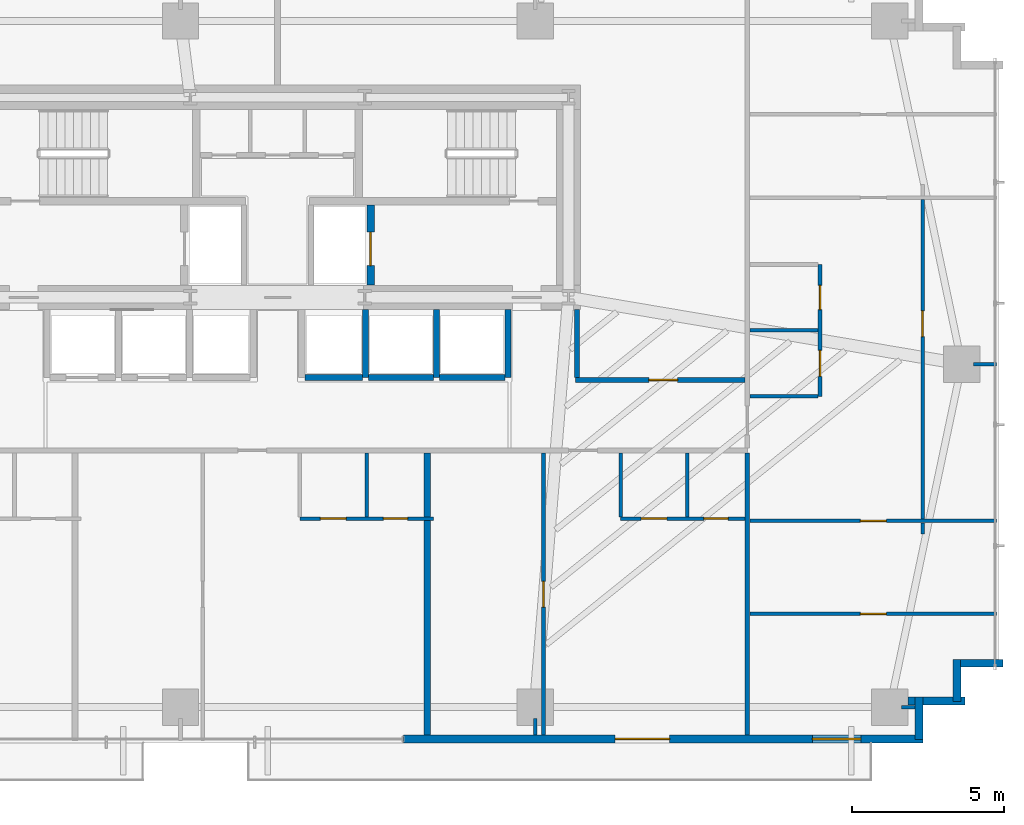
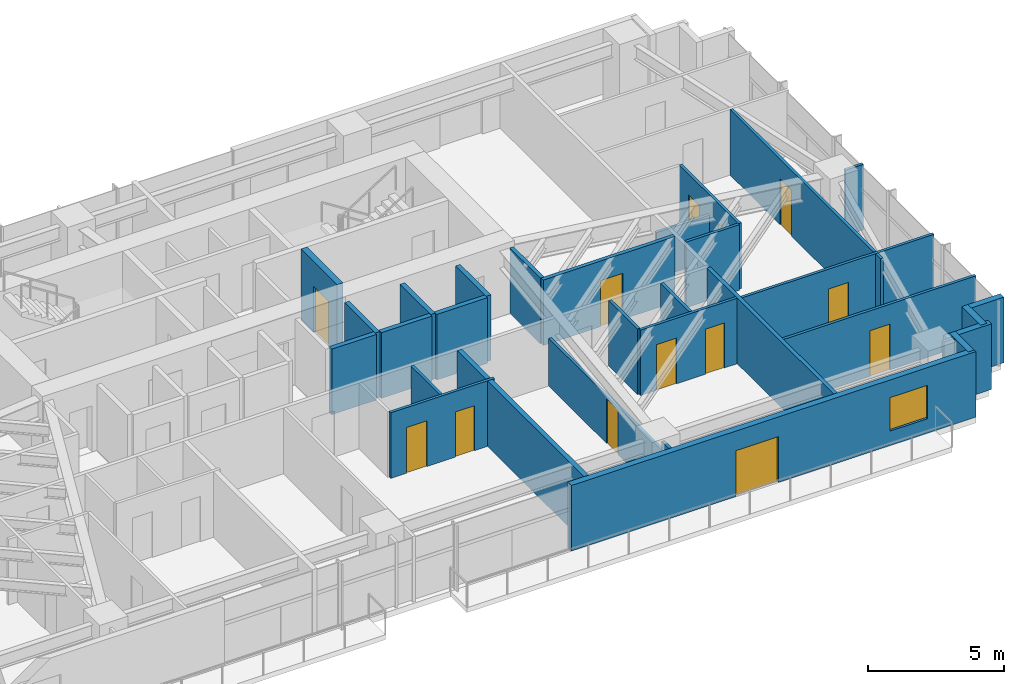
# One storey, part 21 of 25: 33 walls, 13 doors, 1 window, 14 openings.
"""IFC4 building model written with IfcOpenShell, lengths in metres."""

from ifc_helpers import new_model, si_unit, direction, frame, frame_2d, origin, place, context, subcontext, project, spatial, rectangle, extrude, source, transform, mapped, material, layer, layer_set, type_object, type_shapes, element, fill, save


model = new_model("IFC4")

# Units and contexts
model_context = context("Model", 3, precision=1e-05, world=origin(), true_north=direction((0.0, 1.0)))
body_context = subcontext(model_context, "Body", "Model", "MODEL_VIEW")
ifc_project = project(units=[si_unit("LENGTHUNIT", "METRE"), si_unit("AREAUNIT", "SQUARE_METRE"), si_unit("VOLUMEUNIT", "CUBIC_METRE"), si_unit("PLANEANGLEUNIT", "RADIAN"), si_unit("MASSUNIT", "GRAM", prefix="KILO")], contexts=[model_context])

# Site, building, storey
site_placement = place(None, origin())
site = spatial("IfcSite", under=ifc_project, at=site_placement, CompositionType="ELEMENT")
building_placement = place(site_placement, origin())
building = spatial("IfcBuilding", under=site, at=building_placement, Name="Astriad Promenade Condominiums", CompositionType="ELEMENT")
storey_placement = place(building_placement, frame((0.0, 0.0, 55.0)))
storey = spatial("IfcBuildingStorey", under=building, at=storey_placement, Name="L15", CompositionType="ELEMENT", Elevation=55.0)

# Wall, opening, door
ifc_material_1 = material(Name="Concrete C50/60", Category="concrete")
ifc_layer_1 = layer(ifc_material_1, 0.25)
ifc_layer_set_1 = layer_set([ifc_layer_1], Name="Concrete C50/60")
wall_type_1 = type_object("IfcWallType", Name="WALL-CORE-INT-250", PredefinedType="SOLIDWALL", material=ifc_layer_set_1)
wall_1_placement = place(storey_placement, frame((39.074951171875, 17.802001953125, 0.0), z_axis=(0.0, 0.0, 1.0), x_axis=(0.0, 1.0, 0.0)))
wall_1 = element("IfcWall", 1, at=wall_1_placement, inside=storey, type_object=wall_type_1, Name="CW-FFL2-E-L15", PredefinedType="SOLIDWALL", context=body_context, shape_type="SweptSolid", body=[
    extrude(rectangle(XDim=2.64599609375, YDim=0.25, at=frame_2d((1.322998046875, 0.0))), origin(), (0.0, 0.0, 1.0), 3.199951171875),
])
opening_1_placement = place(wall_1_placement, frame((0.64794921875, 0.0, 0.0)))
opening_1 = element("IfcOpeningElement", 2, at=opening_1_placement, cuts=wall_1, Name="Opening LD-FFL-1122", PredefinedType="OPENING", context=body_context, shape_type="SweptSolid", body=[
    extrude(rectangle(XDim=1.10009765625, YDim=2.080078125, at=frame_2d((0.550048828125, 1.0400390625))), frame((0.0, 0.135009765625, 0.0), z_axis=(0.0, -1.0, 0.0), x_axis=(1.0, 0.0, 0.0)), (0.0, 0.0, 1.0), 0.27001953125),
])
ifc_material_2 = material(Name="Brushed Stainless Steel Fire Elevator Landing Door", Category="steel")
door_type_1 = type_object("IfcDoorType", Name="LD-FFL-1122", OperationType="NOTDEFINED", PredefinedType="DOOR", material=ifc_material_2)
shared_shape_1 = source(origin(), body_context, "Body", "SweptSolid", [
    extrude(rectangle(XDim=1.10009765625, YDim=2.080078125, at=frame_2d((0.550048828125, 1.0400390625))), frame((0.0, 0.02490234375, 0.0), z_axis=(0.0, -1.0, 0.0), x_axis=(1.0, 0.0, 0.0)), (0.0, 0.0, 1.0), 0.050048828125),
])
type_shapes(door_type_1, [shared_shape_1])
door_1_placement = place(opening_1_placement, origin())
door_1 = element("IfcDoor", 3, at=door_1_placement, inside=storey, type_object=door_type_1, Name="Elevator Landing Door FFL-2 (L15)", OperationType="SLIDING_TO_RIGHT", OverallHeight=2.080078125, OverallWidth=1.10009765625, PredefinedType="DOOR", context=body_context, shape_type="MappedRepresentation", body=[
    mapped(shared_shape_1, transform((0.0, 0.0, 0.0), scale=1.0)),
])
fill(opening_1, door_1)

# Wall
ifc_material_3 = material(Name="Fire-Rated Gypsum Partition")
ifc_layer_2 = layer(ifc_material_3, 0.159912109375)
ifc_layer_set_2 = layer_set([ifc_layer_2], Name="Fire-Rated Gypsum Partition")
wall_type_2 = type_object("IfcWallType", Name="WALL-CORR-160", PredefinedType="PARTITIONING", material=ifc_layer_set_2)
wall_2_placement = place(storey_placement, frame((51.5, 2.9619140625, 0.0), z_axis=(0.0, 0.0, 1.0), x_axis=(0.0, 1.0, 0.0)))
element("IfcWall", 4, at=wall_2_placement, inside=storey, type_object=wall_type_2, Name="PT-COR-E-L15", PredefinedType="PARTITIONING", context=body_context, shape_type="SweptSolid", body=[
    extrude(rectangle(XDim=9.30615234375, YDim=0.159912109375, at=frame_2d((4.653076171875, 0.0))), origin(), (0.0, 0.0, 1.0), 2.93994140625),
])

# Wall, opening, door
wall_3_placement = place(storey_placement, frame((45.840087890625, 14.679931640625, 0.0), z_axis=(0.0, 0.0, 1.0), x_axis=(1.0, 0.0, 0.0)))
wall_3 = element("IfcWall", 5, at=wall_3_placement, inside=storey, type_object=wall_type_2, Name="PT-FLK-NE-L15", PredefinedType="PARTITIONING", context=body_context, shape_type="SweptSolid", body=[
    extrude(rectangle(XDim=5.577880859375, YDim=0.159912109375, at=frame_2d((2.7890625, 0.0))), origin(), (0.0, 0.0, 1.0), 2.93994140625),
])
opening_2_placement = place(wall_3_placement, frame((2.4150390625, 0.0, 0.0)))
opening_2 = element("IfcOpeningElement", 6, at=opening_2_placement, cuts=wall_3, Name="Opening FD60-APT-095", PredefinedType="OPENING", context=body_context, shape_type="SweptSolid", body=[
    extrude(rectangle(XDim=0.949951171875, YDim=2.06005859375, at=frame_2d((0.47509765625, 1.030029296875))), frame((0.0, 0.08984375, 0.0), z_axis=(0.0, -1.0, 0.0), x_axis=(1.0, 0.0, 0.0)), (0.0, 0.0, 1.0), 0.179931640625),
])
ifc_material_4 = material(Name="Solid-Core Acoustic Timber Residence Entry Door", Category="wood")
door_type_2 = type_object("IfcDoorType", Name="FD60-APT-095", OperationType="NOTDEFINED", PredefinedType="DOOR", material=ifc_material_4)
shared_shape_2 = source(origin(), body_context, "Body", "SweptSolid", [
    extrude(rectangle(XDim=0.949951171875, YDim=2.06005859375, at=frame_2d((0.47509765625, 1.030029296875))), frame((0.0, 0.02490234375, 0.0), z_axis=(0.0, -1.0, 0.0), x_axis=(1.0, 0.0, 0.0)), (0.0, 0.0, 1.0), 0.050048828125),
])
type_shapes(door_type_2, [shared_shape_2])
door_2_placement = place(opening_2_placement, origin())
door_2 = element("IfcDoor", 7, at=door_2_placement, inside=storey, type_object=door_type_2, Name="D-NEA-L15", OperationType="SINGLE_SWING_RIGHT", OverallHeight=2.06005859375, OverallWidth=0.949951171875, PredefinedType="DOOR", context=body_context, shape_type="MappedRepresentation", body=[
    mapped(shared_shape_2, transform((0.0, 0.0, 0.0), scale=1.0)),
])
fill(opening_2, door_2)

# Walls
wall_4_placement = place(storey_placement, frame((45.8798828125, 14.761962890625, 0.0), z_axis=(0.0, 0.0, 1.0), x_axis=(0.0, 1.0, 0.0)))
element("IfcWall", 8, at=wall_4_placement, inside=storey, type_object=wall_type_2, Name="PT-ESPUR-E-L15", PredefinedType="PARTITIONING", context=body_context, shape_type="SweptSolid", body=[
    extrude(rectangle(XDim=2.236083984375, YDim=0.159912109375, at=frame_2d((1.1181640625, 0.0))), origin(), (0.0, 0.0, 1.0), 2.93994140625),
])
ifc_material_5 = material(Name="Acoustic Double-Stud Gypsum Partition")
ifc_layer_3 = layer(ifc_material_5, 0.199951171875)
ifc_layer_set_3 = layer_set([ifc_layer_3], Name="Acoustic Double-Stud Gypsum Partition")
wall_type_3 = type_object("IfcWallType", Name="WALL-DEMISING-200", PredefinedType="PARTITIONING", material=ifc_layer_set_3)
wall_5_placement = place(storey_placement, frame((40.93994140625, 2.9619140625, 0.0), z_axis=(0.0, 0.0, 1.0), x_axis=(0.0, 1.0, 0.0)))
element("IfcWall", 9, at=wall_5_placement, inside=storey, type_object=wall_type_3, Name="PT-DEM-S2-L15", PredefinedType="PARTITIONING", context=body_context, shape_type="SweptSolid", body=[
    extrude(rectangle(XDim=7.076171875, YDim=0.199951171875, at=frame_2d((3.5380859375, 0.0))), origin(), (0.0, 0.0, 1.0), 2.93994140625),
])
wall_6_placement = place(storey_placement, frame((40.93994140625, 10.162109375, 0.0), z_axis=(0.0, 0.0, 1.0), x_axis=(0.0, 1.0, 0.0)))
element("IfcWall", 10, at=wall_6_placement, inside=storey, type_object=wall_type_3, Name="PT-DEM-S2-L15-S2", PredefinedType="PARTITIONING", context=body_context, shape_type="SweptSolid", body=[
    extrude(rectangle(XDim=2.10595703125, YDim=0.199951171875, at=frame_2d((1.052978515625, 0.0))), origin(), (0.0, 0.0, 1.0), 2.93994140625),
])
ifc_material_6 = material(Name="Precast concrete C50/60", Category="concrete")
ifc_layer_4 = layer(ifc_material_6, 0.260009765625)
ifc_layer_set_4 = layer_set([ifc_layer_4], Name="Precast concrete C50/60")
wall_type_4 = type_object("IfcWallType", Name="WALL-EXT-TWR-260", PredefinedType="STANDARD", material=ifc_layer_set_4)
for number, where, z_axis, x_axis, name in (
    (11, (59.929931640625, 5.330078125, 0.0), (0.0, 0.0, 1.0), (-1.0, 0.0, 0.0), "W-SER-L15-14"),
    (12, (58.419921875, 5.4599609375, 0.0), (0.0, 0.0, 1.0), (0.0, -1.0, 0.0), "W-SER-L15-15"),
):
    element("IfcWall", number, at=place(storey_placement, frame(where, z_axis=z_axis, x_axis=x_axis)), inside=storey, type_object=wall_type_4, Name=name, PredefinedType="STANDARD", context=body_context, shape_type="SweptSolid", body=[
        extrude(rectangle(XDim=1.39501953125, YDim=0.260009765625, at=frame_2d((0.697509765625, 0.0))), origin(), (0.0, 0.0, 1.0), 2.93994140625),
    ])
wall_7_placement = place(storey_placement, frame((58.679931640625, 4.080078125, 0.0), z_axis=(0.0, 0.0, 1.0), x_axis=(-1.0, 0.0, 0.0)))
element("IfcWall", 13, at=wall_7_placement, inside=storey, type_object=wall_type_4, Name="W-SER-L15-16", PredefinedType="STANDARD", context=body_context, shape_type="SweptSolid", body=[
    extrude(rectangle(XDim=1.8779296875, YDim=0.260009765625, at=frame_2d((0.93896484375, 0.0))), origin(), (0.0, 0.0, 1.0), 2.93994140625),
])
wall_8_placement = place(storey_placement, frame((57.169921875, 4.2099609375, 0.0), z_axis=(0.0, 0.0, 1.0), x_axis=(0.0, -1.0, 0.0)))
element("IfcWall", 14, at=wall_8_placement, inside=storey, type_object=wall_type_4, Name="W-SER-L15-17", PredefinedType="STANDARD", context=body_context, shape_type="SweptSolid", body=[
    extrude(rectangle(XDim=1.39501953125, YDim=0.260009765625, at=frame_2d((0.697509765625, 0.0))), origin(), (0.0, 0.0, 1.0), 2.93994140625),
])

# Wall, openings, door, window
wall_9_placement = place(storey_placement, frame((57.300048828125, 2.830078125, 0.0), z_axis=(0.0, 0.0, 1.0), x_axis=(-1.0, 0.0, 0.0)))
wall_9 = element("IfcWall", 15, at=wall_9_placement, inside=storey, type_object=wall_type_4, Name="W-EXT-L15-S1", PredefinedType="STANDARD", context=body_context, shape_type="SweptSolid", body=[
    extrude(rectangle(XDim=17.150146484375, YDim=0.260009765625, at=frame_2d((8.5751953125, 0.0))), origin(), (0.0, 0.0, 1.0), 2.93994140625),
])
opening_3_placement = place(wall_9_placement, frame((8.362060546875, 0.0, 0.0)))
opening_3 = element("IfcOpeningElement", 16, at=opening_3_placement, cuts=wall_9, Name="Opening BD-1822-SLD", PredefinedType="OPENING", context=body_context, shape_type="SweptSolid", body=[
    extrude(rectangle(XDim=1.800048828125, YDim=2.06005859375, at=frame_2d((0.89990234375, 1.030029296875))), frame((0.0, 0.139892578125, 0.0), z_axis=(0.0, -1.0, 0.0), x_axis=(1.0, 0.0, 0.0)), (0.0, 0.0, 1.0), 0.280029296875),
])
opening_4_placement = place(wall_9_placement, frame((2.050048828125, 0.0, 0.64990234375)))
opening_4 = element("IfcOpeningElement", 17, at=opening_4_placement, cuts=wall_9, Name="Opening WIN-TWR-1620", PredefinedType="OPENING", context=body_context, shape_type="SweptSolid", body=[
    extrude(rectangle(XDim=1.60009765625, YDim=1.5, at=frame_2d((0.800048828125, 0.75))), frame((0.0, 0.139892578125, 0.0), z_axis=(0.0, -1.0, 0.0), x_axis=(1.0, 0.0, 0.0)), (0.0, 0.0, 1.0), 0.280029296875),
])
ifc_material_7 = material(Name="Thermally Broken Aluminium Sliding Balcony Door", Category="aluminium")
door_type_3 = type_object("IfcDoorType", Name="BD-1822-SLD", OperationType="NOTDEFINED", PredefinedType="DOOR", material=ifc_material_7)
shared_shape_3 = source(origin(), body_context, "Body", "SweptSolid", [
    extrude(rectangle(XDim=1.800048828125, YDim=2.06005859375, at=frame_2d((0.89990234375, 1.030029296875))), frame((0.0, 0.02490234375, 0.0), z_axis=(0.0, -1.0, 0.0), x_axis=(1.0, 0.0, 0.0)), (0.0, 0.0, 1.0), 0.050048828125),
])
type_shapes(door_type_3, [shared_shape_3])
door_3_placement = place(opening_3_placement, origin())
door_3 = element("IfcDoor", 18, at=door_3_placement, inside=storey, type_object=door_type_3, Name="BD-L15-SE", OperationType="SLIDING_TO_RIGHT", OverallHeight=2.06005859375, OverallWidth=1.800048828125, PredefinedType="DOOR", context=body_context, shape_type="MappedRepresentation", body=[
    mapped(shared_shape_3, transform((0.0, 0.0, 0.0), scale=1.0)),
])
fill(opening_3, door_3)
ifc_material_8 = material(Name="Dark Tinted Triple-Glazed Aluminium Window", Category="aluminium")
window_type = type_object("IfcWindowType", Name="WIN-TWR-1620", PartitioningType="SINGLE_PANEL", PredefinedType="WINDOW", material=ifc_material_8)
shared_shape_4 = source(origin(), body_context, "Body", "SweptSolid", [
    extrude(rectangle(XDim=1.60009765625, YDim=1.5, at=frame_2d((0.800048828125, 0.75))), frame((0.0, 0.030029296875, 0.0), z_axis=(0.0, -1.0, 0.0), x_axis=(1.0, 0.0, 0.0)), (0.0, 0.0, 1.0), 0.06005859375),
])
type_shapes(window_type, [shared_shape_4])
window_placement = place(opening_4_placement, origin())
window = element("IfcWindow", 19, at=window_placement, inside=storey, type_object=window_type, Name="WIN-L15-SE", OverallHeight=1.5, OverallWidth=1.60009765625, PartitioningType="SINGLE_PANEL", PredefinedType="WINDOW", context=body_context, shape_type="MappedRepresentation", body=[
    mapped(shared_shape_4, transform((0.0, 0.0, 0.0), scale=1.0)),
])
fill(opening_4, window)

# Wall, openings, doors
ifc_material_9 = material(Name="Acoustic Metal-Stud Gypsum Partition")
ifc_layer_5 = layer(ifc_material_9, 0.1201171875)
ifc_layer_set_5 = layer_set([ifc_layer_5], Name="Acoustic Metal-Stud Gypsum Partition")
wall_type_5 = type_object("IfcWallType", Name="WALL-PART-120", PredefinedType="PARTITIONING", material=ifc_layer_set_5)
wall_10_placement = place(storey_placement, frame((36.739990234375, 10.10009765625, 0.0), z_axis=(0.0, 0.0, 1.0), x_axis=(1.0, 0.0, 0.0)))
wall_10 = element("IfcWall", 20, at=wall_10_placement, inside=storey, type_object=wall_type_5, Name="PT-L15-S2-PS", PredefinedType="PARTITIONING", context=body_context, shape_type="SweptSolid", body=[
    extrude(rectangle(XDim=4.39990234375, YDim=0.1201171875, at=frame_2d((2.199951171875, 0.0))), origin(), (0.0, 0.0, 1.0), 2.93994140625),
])
opening_5_placement = place(wall_10_placement, frame((0.675048828125, 0.0, 0.0)))
opening_5 = element("IfcOpeningElement", 21, at=opening_5_placement, cuts=wall_10, Name="Opening D-INT-085", PredefinedType="OPENING", context=body_context, shape_type="SweptSolid", body=[
    extrude(rectangle(XDim=0.85009765625, YDim=2.050048828125, at=frame_2d((0.425048828125, 1.02490234375))), frame((0.0, 0.070068359375, 0.0), z_axis=(0.0, -1.0, 0.0), x_axis=(1.0, 0.0, 0.0)), (0.0, 0.0, 1.0), 0.14013671875),
])
opening_6_placement = place(wall_10_placement, frame((2.75, 0.0, 0.0)))
opening_6 = element("IfcOpeningElement", 22, at=opening_6_placement, cuts=wall_10, Name="Opening D-WET-080", PredefinedType="OPENING", context=body_context, shape_type="SweptSolid", body=[
    extrude(rectangle(XDim=0.800048828125, YDim=2.02001953125, at=frame_2d((0.39990234375, 1.010009765625))), frame((0.0, 0.070068359375, 0.0), z_axis=(0.0, -1.0, 0.0), x_axis=(1.0, 0.0, 0.0)), (0.0, 0.0, 1.0), 0.14013671875),
])
ifc_material_10 = material(Name="Moisture-Resistant Timber Bathroom Door", Category="wood")
door_type_4 = type_object("IfcDoorType", Name="D-WET-080", OperationType="NOTDEFINED", PredefinedType="DOOR", material=ifc_material_10)
shared_shape_5 = source(origin(), body_context, "Body", "SweptSolid", [
    extrude(rectangle(XDim=0.800048828125, YDim=2.02001953125, at=frame_2d((0.39990234375, 1.010009765625))), frame((0.0, 0.02490234375, 0.0), z_axis=(0.0, -1.0, 0.0), x_axis=(1.0, 0.0, 0.0)), (0.0, 0.0, 1.0), 0.050048828125),
])
type_shapes(door_type_4, [shared_shape_5])
door_4_placement = place(opening_6_placement, origin())
door_4 = element("IfcDoor", 23, at=door_4_placement, inside=storey, type_object=door_type_4, Name="D-BTH-L15-S2", OperationType="SINGLE_SWING_RIGHT", OverallHeight=2.02001953125, OverallWidth=0.800048828125, PredefinedType="DOOR", context=body_context, shape_type="MappedRepresentation", body=[
    mapped(shared_shape_5, transform((0.0, 0.0, 0.0), scale=1.0)),
])
fill(opening_6, door_4)
ifc_material_11 = material(Name="Painted Solid-Core Timber Room Door", Category="wood")
door_type_5 = type_object("IfcDoorType", Name="D-INT-085", OperationType="NOTDEFINED", PredefinedType="DOOR", material=ifc_material_11)
shared_shape_6 = source(origin(), body_context, "Body", "SweptSolid", [
    extrude(rectangle(XDim=0.85009765625, YDim=2.050048828125, at=frame_2d((0.425048828125, 1.02490234375))), frame((0.0, 0.02490234375, 0.0), z_axis=(0.0, -1.0, 0.0), x_axis=(1.0, 0.0, 0.0)), (0.0, 0.0, 1.0), 0.050048828125),
])
type_shapes(door_type_5, [shared_shape_6])
door_5_placement = place(opening_5_placement, origin())
door_5 = element("IfcDoor", 24, at=door_5_placement, inside=storey, type_object=door_type_5, Name="D-KIT-L15-S2", OperationType="SINGLE_SWING_LEFT", OverallHeight=2.050048828125, OverallWidth=0.85009765625, PredefinedType="DOOR", context=body_context, shape_type="MappedRepresentation", body=[
    mapped(shared_shape_6, transform((0.0, 0.0, 0.0), scale=1.0)),
])
fill(opening_5, door_5)

# Wall
wall_11_placement = place(storey_placement, frame((38.93994140625, 10.162109375, 0.0), z_axis=(0.0, 0.0, 1.0), x_axis=(0.0, 1.0, 0.0)))
element("IfcWall", 25, at=wall_11_placement, inside=storey, type_object=wall_type_5, Name="PT-L15-S2-PB", PredefinedType="PARTITIONING", context=body_context, shape_type="SweptSolid", body=[
    extrude(rectangle(XDim=2.10595703125, YDim=0.1201171875, at=frame_2d((1.052978515625, 0.0))), origin(), (0.0, 0.0, 1.0), 2.93994140625),
])

# Wall, openings, doors
wall_12_placement = place(storey_placement, frame((47.320068359375, 10.10009765625, 0.0), z_axis=(0.0, 0.0, 1.0), x_axis=(1.0, 0.0, 0.0)))
wall_12 = element("IfcWall", 26, at=wall_12_placement, inside=storey, type_object=wall_type_5, Name="PT-L15-S3-PS", PredefinedType="PARTITIONING", context=body_context, shape_type="SweptSolid", body=[
    extrude(rectangle(XDim=4.097900390625, YDim=0.1201171875, at=frame_2d((2.048828125, 0.0))), origin(), (0.0, 0.0, 1.0), 2.93994140625),
])
opening_7_placement = place(wall_12_placement, frame((0.675048828125, 0.0, 0.0)))
opening_7 = element("IfcOpeningElement", 27, at=opening_7_placement, cuts=wall_12, Name="Opening D-INT-085", PredefinedType="OPENING", context=body_context, shape_type="SweptSolid", body=[
    extrude(rectangle(XDim=0.85009765625, YDim=2.050048828125, at=frame_2d((0.425048828125, 1.02490234375))), frame((0.0, 0.070068359375, 0.0), z_axis=(0.0, -1.0, 0.0), x_axis=(1.0, 0.0, 0.0)), (0.0, 0.0, 1.0), 0.14013671875),
])
opening_8_placement = place(wall_12_placement, frame((2.75, 0.0, 0.0)))
opening_8 = element("IfcOpeningElement", 28, at=opening_8_placement, cuts=wall_12, Name="Opening D-WET-080", PredefinedType="OPENING", context=body_context, shape_type="SweptSolid", body=[
    extrude(rectangle(XDim=0.800048828125, YDim=2.02001953125, at=frame_2d((0.39990234375, 1.010009765625))), frame((0.0, 0.070068359375, 0.0), z_axis=(0.0, -1.0, 0.0), x_axis=(1.0, 0.0, 0.0)), (0.0, 0.0, 1.0), 0.14013671875),
])
door_6_placement = place(opening_8_placement, origin())
door_6 = element("IfcDoor", 29, at=door_6_placement, inside=storey, type_object=door_type_4, Name="D-BTH-L15-S3", OperationType="SINGLE_SWING_RIGHT", OverallHeight=2.02001953125, OverallWidth=0.800048828125, PredefinedType="DOOR", context=body_context, shape_type="MappedRepresentation", body=[
    mapped(shared_shape_5, transform((0.0, 0.0, 0.0), scale=1.0)),
])
fill(opening_8, door_6)
door_7_placement = place(opening_7_placement, origin())
door_7 = element("IfcDoor", 30, at=door_7_placement, inside=storey, type_object=door_type_5, Name="D-KIT-L15-S3", OperationType="SINGLE_SWING_LEFT", OverallHeight=2.050048828125, OverallWidth=0.85009765625, PredefinedType="DOOR", context=body_context, shape_type="MappedRepresentation", body=[
    mapped(shared_shape_6, transform((0.0, 0.0, 0.0), scale=1.0)),
])
fill(opening_7, door_7)

# Walls
for number, where, z_axis, x_axis, name in (
    (31, (47.320068359375, 10.162109375, 0.0), (0.0, 0.0, 1.0), (0.0, 1.0, 0.0), "PT-L15-S3-PK"),
    (32, (49.52001953125, 10.162109375, 0.0), (0.0, 0.0, 1.0), (0.0, 1.0, 0.0), "PT-L15-S3-PB"),
):
    element("IfcWall", number, at=place(storey_placement, frame(where, z_axis=z_axis, x_axis=x_axis)), inside=storey, type_object=wall_type_5, Name=name, PredefinedType="PARTITIONING", context=body_context, shape_type="SweptSolid", body=[
        extrude(rectangle(XDim=2.10595703125, YDim=0.1201171875, at=frame_2d((1.052978515625, 0.0))), origin(), (0.0, 0.0, 1.0), 2.93994140625),
    ])

# Wall, opening, door
wall_13_placement = place(storey_placement, frame((44.777099609375, 2.9619140625, 0.0), z_axis=(0.0, 0.0, 1.0), x_axis=(0.0, 1.0, 0.0)))
wall_13 = element("IfcWall", 33, at=wall_13_placement, inside=storey, type_object=wall_type_5, Name="PT-L15-S3-CAP1", PredefinedType="PARTITIONING", context=body_context, shape_type="SweptSolid", body=[
    extrude(rectangle(XDim=9.30615234375, YDim=0.1201171875, at=frame_2d((4.653076171875, 0.0))), origin(), (0.0, 0.0, 1.0), 2.135986328125),
])
opening_9_placement = place(wall_13_placement, frame((4.218017578125, 0.0, 0.0)))
opening_9 = element("IfcOpeningElement", 34, at=opening_9_placement, cuts=wall_13, Name="Opening D-LOW-085", PredefinedType="OPENING", context=body_context, shape_type="SweptSolid", body=[
    extrude(rectangle(XDim=0.85009765625, YDim=2.010009765625, at=frame_2d((0.425048828125, 1.0048828125))), frame((0.0, 0.070068359375, 0.0), z_axis=(0.0, -1.0, 0.0), x_axis=(1.0, 0.0, 0.0)), (0.0, 0.0, 1.0), 0.14013671875),
])
ifc_material_12 = material(Name="Painted Timber Under-Girder Room Door", Category="wood")
door_type_6 = type_object("IfcDoorType", Name="D-LOW-085", OperationType="NOTDEFINED", PredefinedType="DOOR", material=ifc_material_12)
shared_shape_7 = source(origin(), body_context, "Body", "SweptSolid", [
    extrude(rectangle(XDim=0.85009765625, YDim=2.010009765625, at=frame_2d((0.425048828125, 1.0048828125))), frame((0.0, 0.02490234375, 0.0), z_axis=(0.0, -1.0, 0.0), x_axis=(1.0, 0.0, 0.0)), (0.0, 0.0, 1.0), 0.050048828125),
])
type_shapes(door_type_6, [shared_shape_7])
door_8_placement = place(opening_9_placement, origin())
door_8 = element("IfcDoor", 35, at=door_8_placement, inside=storey, type_object=door_type_6, Name="D-CAP1-L15-S3", OperationType="SINGLE_SWING_LEFT", OverallHeight=2.010009765625, OverallWidth=0.85009765625, PredefinedType="DOOR", context=body_context, shape_type="MappedRepresentation", body=[
    mapped(shared_shape_7, transform((0.0, 0.0, 0.0), scale=1.0)),
])
fill(opening_9, door_8)

# Wall, openings, doors
wall_14_placement = place(storey_placement, frame((53.89990234375, 14.135986328125, 0.0), z_axis=(0.0, 0.0, 1.0), x_axis=(0.0, 1.0, 0.0)))
wall_14 = element("IfcWall", 36, at=wall_14_placement, inside=storey, type_object=wall_type_5, Name="PT-L15-E1-PV", PredefinedType="PARTITIONING", context=body_context, shape_type="SweptSolid", body=[
    extrude(rectangle(XDim=4.35009765625, YDim=0.1201171875, at=frame_2d((2.175048828125, 0.0))), origin(), (0.0, 0.0, 1.0), 2.93994140625),
])
opening_10_placement = place(wall_14_placement, frame((0.662109375, 0.0, 0.0)))
opening_10 = element("IfcOpeningElement", 37, at=opening_10_placement, cuts=wall_14, Name="Opening D-INT-085", PredefinedType="OPENING", context=body_context, shape_type="SweptSolid", body=[
    extrude(rectangle(XDim=0.85009765625, YDim=2.050048828125, at=frame_2d((0.425048828125, 1.02490234375))), frame((0.0, 0.070068359375, 0.0), z_axis=(0.0, -1.0, 0.0), x_axis=(1.0, 0.0, 0.0)), (0.0, 0.0, 1.0), 0.14013671875),
])
opening_11_placement = place(wall_14_placement, frame((2.862060546875, 0.0, 0.0)))
opening_11 = element("IfcOpeningElement", 38, at=opening_11_placement, cuts=wall_14, Name="Opening D-WET-080", PredefinedType="OPENING", context=body_context, shape_type="SweptSolid", body=[
    extrude(rectangle(XDim=0.800048828125, YDim=2.02001953125, at=frame_2d((0.39990234375, 1.010009765625))), frame((0.0, 0.070068359375, 0.0), z_axis=(0.0, -1.0, 0.0), x_axis=(1.0, 0.0, 0.0)), (0.0, 0.0, 1.0), 0.14013671875),
])
door_9_placement = place(opening_11_placement, origin())
door_9 = element("IfcDoor", 39, at=door_9_placement, inside=storey, type_object=door_type_4, Name="D-BTH-L15-E1", OperationType="SINGLE_SWING_LEFT", OverallHeight=2.02001953125, OverallWidth=0.800048828125, PredefinedType="DOOR", context=body_context, shape_type="MappedRepresentation", body=[
    mapped(shared_shape_5, transform((0.0, 0.0, 0.0), scale=1.0)),
])
fill(opening_11, door_9)
door_10_placement = place(opening_10_placement, origin())
door_10 = element("IfcDoor", 40, at=door_10_placement, inside=storey, type_object=door_type_5, Name="D-KIT-L15-E1", OperationType="SINGLE_SWING_RIGHT", OverallHeight=2.050048828125, OverallWidth=0.85009765625, PredefinedType="DOOR", context=body_context, shape_type="MappedRepresentation", body=[
    mapped(shared_shape_6, transform((0.0, 0.0, 0.0), scale=1.0)),
])
fill(opening_10, door_10)

# Walls
wall_15_placement = place(storey_placement, frame((51.58203125, 16.31103515625, 0.0), z_axis=(0.0, 0.0, 1.0), x_axis=(1.0, 0.0, 0.0)))
element("IfcWall", 41, at=wall_15_placement, inside=storey, type_object=wall_type_5, Name="PT-L15-E1-PM", PredefinedType="PARTITIONING", context=body_context, shape_type="SweptSolid", body=[
    extrude(rectangle(XDim=2.255859375, YDim=0.1201171875, at=frame_2d((1.1279296875, 0.0))), origin(), (0.0, 0.0, 1.0), 2.044921875),
])
wall_16_placement = place(storey_placement, frame((51.58203125, 14.135986328125, 0.0), z_axis=(0.0, 0.0, 1.0), x_axis=(1.0, 0.0, 0.0)))
element("IfcWall", 42, at=wall_16_placement, inside=storey, type_object=wall_type_5, Name="PT-L15-E1-PS", PredefinedType="PARTITIONING", context=body_context, shape_type="SweptSolid", body=[
    extrude(rectangle(XDim=2.255859375, YDim=0.1201171875, at=frame_2d((1.1279296875, 0.0))), origin(), (0.0, 0.0, 1.0), 2.93994140625),
])

# Wall, opening, door
wall_17_placement = place(storey_placement, frame((51.58203125, 6.9599609375, 0.0), z_axis=(0.0, 0.0, 1.0), x_axis=(1.0, 0.0, 0.0)))
wall_17 = element("IfcWall", 43, at=wall_17_placement, inside=storey, type_object=wall_type_5, Name="PT-L15-E1-WDS1", PredefinedType="PARTITIONING", context=body_context, shape_type="SweptSolid", body=[
    extrude(rectangle(XDim=8.137939453125, YDim=0.1201171875, at=frame_2d((4.06884765625, 0.0))), origin(), (0.0, 0.0, 1.0), 2.93994140625),
])
opening_12_placement = place(wall_17_placement, frame((3.653076171875, 0.0, 0.0)))
opening_12 = element("IfcOpeningElement", 44, at=opening_12_placement, cuts=wall_17, Name="Opening D-INT-085", PredefinedType="OPENING", context=body_context, shape_type="SweptSolid", body=[
    extrude(rectangle(XDim=0.85009765625, YDim=2.050048828125, at=frame_2d((0.425048828125, 1.02490234375))), frame((0.0, 0.070068359375, 0.0), z_axis=(0.0, -1.0, 0.0), x_axis=(1.0, 0.0, 0.0)), (0.0, 0.0, 1.0), 0.14013671875),
])
door_11_placement = place(opening_12_placement, origin())
door_11 = element("IfcDoor", 45, at=door_11_placement, inside=storey, type_object=door_type_5, Name="D-WDS1-L15-E1", OperationType="SINGLE_SWING_RIGHT", OverallHeight=2.050048828125, OverallWidth=0.85009765625, PredefinedType="DOOR", context=body_context, shape_type="MappedRepresentation", body=[
    mapped(shared_shape_6, transform((0.0, 0.0, 0.0), scale=1.0)),
])
fill(opening_12, door_11)

wall_18_placement = place(storey_placement, frame((51.58203125, 10.02587890625, 0.0), z_axis=(0.0, 0.0, 1.0), x_axis=(1.0, 0.0, 0.0)))
wall_18 = element("IfcWall", 46, at=wall_18_placement, inside=storey, type_object=wall_type_5, Name="PT-L15-E1-WDS3", PredefinedType="PARTITIONING", context=body_context, shape_type="SweptSolid", body=[
    extrude(rectangle(XDim=8.137939453125, YDim=0.1201171875, at=frame_2d((4.06884765625, 0.0))), origin(), (0.0, 0.0, 1.0), 2.93994140625),
])
opening_13_placement = place(wall_18_placement, frame((3.653076171875, 0.0, 0.0)))
opening_13 = element("IfcOpeningElement", 47, at=opening_13_placement, cuts=wall_18, Name="Opening D-INT-085", PredefinedType="OPENING", context=body_context, shape_type="SweptSolid", body=[
    extrude(rectangle(XDim=0.85009765625, YDim=2.050048828125, at=frame_2d((0.425048828125, 1.02490234375))), frame((0.0, 0.070068359375, 0.0), z_axis=(0.0, -1.0, 0.0), x_axis=(1.0, 0.0, 0.0)), (0.0, 0.0, 1.0), 0.14013671875),
])
door_12_placement = place(opening_13_placement, origin())
door_12 = element("IfcDoor", 48, at=door_12_placement, inside=storey, type_object=door_type_5, Name="D-WDS3-L15-E1", OperationType="SINGLE_SWING_RIGHT", OverallHeight=2.050048828125, OverallWidth=0.85009765625, PredefinedType="DOOR", context=body_context, shape_type="MappedRepresentation", body=[
    mapped(shared_shape_6, transform((0.0, 0.0, 0.0), scale=1.0)),
])
fill(opening_13, door_12)

# Wall
wall_19_placement = place(storey_placement, frame((57.287109375, 9.5859375, 0.0), z_axis=(0.0, 0.0, 1.0), x_axis=(0.0, 1.0, 0.0)))
element("IfcWall", 49, at=wall_19_placement, inside=storey, type_object=wall_type_5, Name="PT-L15-E1-WDV5", PredefinedType="PARTITIONING", context=body_context, shape_type="SweptSolid", body=[
    extrude(rectangle(XDim=0.378173828125, YDim=0.1201171875, at=frame_2d((0.18896484375, 0.0))), origin(), (0.0, 0.0, 1.0), 2.93994140625),
])

# Wall, opening, door
wall_20_placement = place(storey_placement, frame((57.287109375, 10.087890625, 0.0), z_axis=(0.0, 0.0, 1.0), x_axis=(0.0, 1.0, 0.0)))
wall_20 = element("IfcWall", 50, at=wall_20_placement, inside=storey, type_object=wall_type_5, Name="PT-L15-E1-WDV5-S2", PredefinedType="PARTITIONING", context=body_context, shape_type="SweptSolid", body=[
    extrude(rectangle(XDim=10.5380859375, YDim=0.1201171875, at=frame_2d((5.26904296875, 0.0))), origin(), (0.0, 0.0, 1.0), 2.93994140625),
])
opening_14_placement = place(wall_20_placement, frame((6.02001953125, 0.0, 0.0)))
opening_14 = element("IfcOpeningElement", 51, at=opening_14_placement, cuts=wall_20, Name="Opening D-INT-085", PredefinedType="OPENING", context=body_context, shape_type="SweptSolid", body=[
    extrude(rectangle(XDim=0.85009765625, YDim=2.050048828125, at=frame_2d((0.425048828125, 1.02490234375))), frame((0.0, 0.070068359375, 0.0), z_axis=(0.0, -1.0, 0.0), x_axis=(1.0, 0.0, 0.0)), (0.0, 0.0, 1.0), 0.14013671875),
])
door_13_placement = place(opening_14_placement, origin())
door_13 = element("IfcDoor", 52, at=door_13_placement, inside=storey, type_object=door_type_5, Name="D-WDV5-L15-E1", OperationType="SINGLE_SWING_RIGHT", OverallHeight=2.050048828125, OverallWidth=0.85009765625, PredefinedType="DOOR", context=body_context, shape_type="MappedRepresentation", body=[
    mapped(shared_shape_6, transform((0.0, 0.0, 0.0), scale=1.0)),
])
fill(opening_14, door_13)

# Walls
wall_21_placement = place(storey_placement, frame((44.5, 3.5, 0.0), z_axis=(0.0, 0.0, 1.0), x_axis=(0.0, -1.0, 0.0)))
element("IfcWall", 53, at=wall_21_placement, inside=storey, type_object=wall_type_5, Name="PT-PIL-L15-PC04-11", PredefinedType="PARTITIONING", context=body_context, shape_type="SweptSolid", body=[
    extrude(rectangle(XDim=0.5380859375, YDim=0.1201171875, at=frame_2d((0.26904296875, 0.0))), origin(), (0.0, 0.0, 1.0), 2.93994140625),
])
wall_22_placement = place(storey_placement, frame((56.580078125, 3.8798828125, 0.0), z_axis=(0.0, 0.0, 1.0), x_axis=(1.0, 0.0, 0.0)))
element("IfcWall", 54, at=wall_22_placement, inside=storey, type_object=wall_type_5, Name="PT-PIL-L15-PC05-12", PredefinedType="PARTITIONING", context=body_context, shape_type="SweptSolid", body=[
    extrude(rectangle(XDim=0.4580078125, YDim=0.1201171875, at=frame_2d((0.22900390625, 0.0))), origin(), (0.0, 0.0, 1.0), 2.93994140625),
])
wall_23_placement = place(storey_placement, frame((58.9599609375, 15.199951171875, 0.0), z_axis=(0.0, 0.0, 1.0), x_axis=(1.0, 0.0, 0.0)))
element("IfcWall", 55, at=wall_23_placement, inside=storey, type_object=wall_type_5, Name="PT-PIL-L15-PC12-19", PredefinedType="PARTITIONING", context=body_context, shape_type="SweptSolid", body=[
    extrude(rectangle(XDim=0.760009765625, YDim=0.1201171875, at=frame_2d((0.3798828125, 0.0))), origin(), (0.0, 0.0, 1.0), 2.93994140625),
])
ifc_material_13 = material(Name="Gypsum Shaftliner Assembly")
ifc_layer_6 = layer(ifc_material_13, 0.199951171875)
ifc_layer_set_6 = layer_set([ifc_layer_6], Name="Gypsum Shaftliner Assembly")
wall_type_6 = type_object("IfcWallType", Name="WALL-SHAFT-200", PredefinedType="PARTITIONING", material=ifc_layer_set_6)
wall_24_placement = place(storey_placement, frame((38.89990234375, 14.75, 0.0), z_axis=(0.0, 0.0, 1.0), x_axis=(0.0, 1.0, 0.0)))
element("IfcWall", 56, at=wall_24_placement, inside=storey, type_object=wall_type_6, Name="PL-MH-DIV-L15", PredefinedType="PARTITIONING", context=body_context, shape_type="SweptSolid", body=[
    extrude(rectangle(XDim=2.248046875, YDim=0.199951171875, at=frame_2d((1.1240234375, 0.0))), origin(), (0.0, 0.0, 1.0), 2.93994140625),
])
wall_25_placement = place(storey_placement, frame((36.902099609375, 14.75, 0.0), z_axis=(0.0, 0.0, 1.0), x_axis=(1.0, 0.0, 0.0)))
element("IfcWall", 57, at=wall_25_placement, inside=storey, type_object=wall_type_6, Name="PL-M2-F-L15", PredefinedType="PARTITIONING", context=body_context, shape_type="SweptSolid", body=[
    extrude(rectangle(XDim=1.89599609375, YDim=0.199951171875, at=frame_2d((0.947998046875, 0.0))), origin(), (0.0, 0.0, 1.0), 2.93994140625),
])
for number, where, z_axis, x_axis, name in (
    (58, (41.25, 14.75, 0.0), (0.0, 0.0, 1.0), (0.0, 1.0, 0.0), "PL-H-DIV-L15"),
    (59, (43.60009765625, 14.75, 0.0), (0.0, 0.0, 1.0), (0.0, 1.0, 0.0), "PL-E-OUT-L15"),
):
    element("IfcWall", number, at=place(storey_placement, frame(where, z_axis=z_axis, x_axis=x_axis)), inside=storey, type_object=wall_type_6, Name=name, PredefinedType="PARTITIONING", context=body_context, shape_type="SweptSolid", body=[
        extrude(rectangle(XDim=2.248046875, YDim=0.199951171875, at=frame_2d((1.1240234375, 0.0))), origin(), (0.0, 0.0, 1.0), 2.93994140625),
    ])
for number, where, z_axis, x_axis, name in (
    (60, (39.001953125, 14.75, 0.0), (0.0, 0.0, 1.0), (1.0, 0.0, 0.0), "PL-H-FRT-L15"),
    (61, (41.35205078125, 14.75, 0.0), (0.0, 0.0, 1.0), (1.0, 0.0, 0.0), "PL-H-FRT-L15-S2"),
):
    element("IfcWall", number, at=place(storey_placement, frame(where, z_axis=z_axis, x_axis=x_axis)), inside=storey, type_object=wall_type_6, Name=name, PredefinedType="PARTITIONING", context=body_context, shape_type="SweptSolid", body=[
        extrude(rectangle(XDim=2.14599609375, YDim=0.199951171875, at=frame_2d((1.072998046875, 0.0))), origin(), (0.0, 0.0, 1.0), 2.93994140625),
    ])

save(model, "model.ifc")
